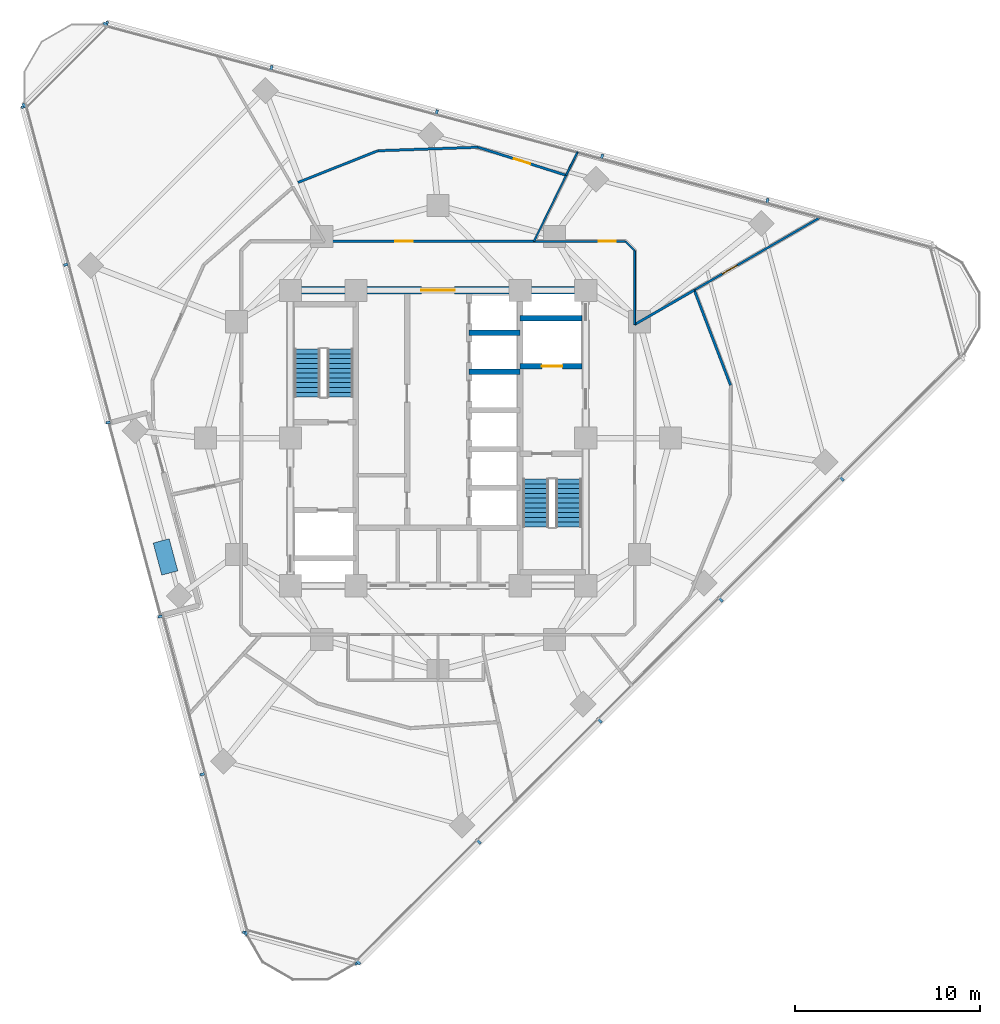
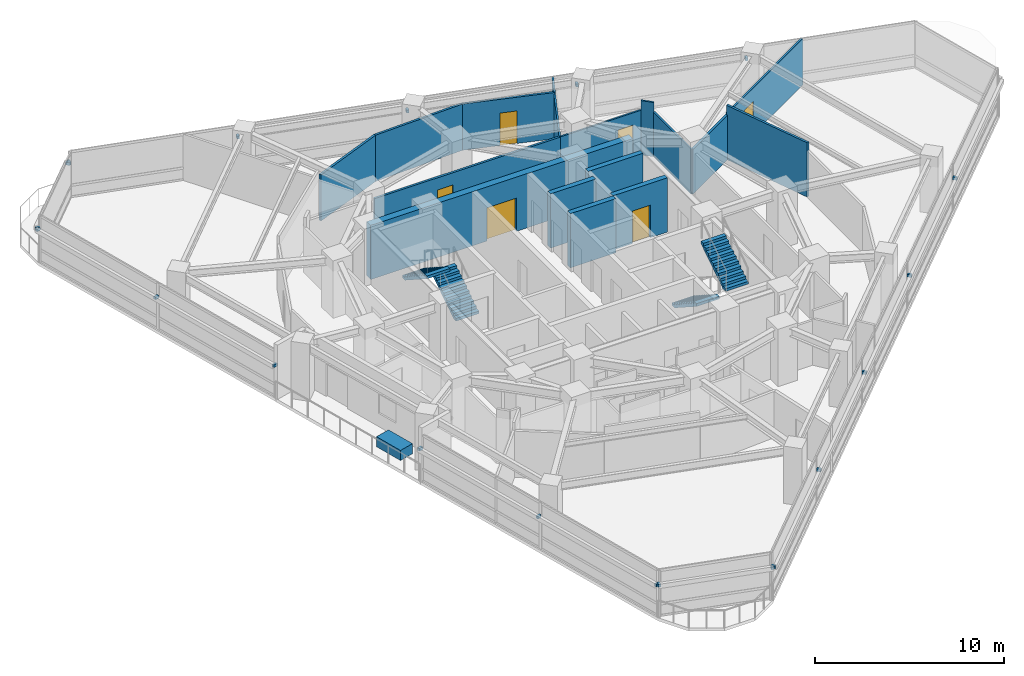
# One storey, part 9 of 14: 21 discrete accessories, 17 walls, 6 doors, 4 stair flights, 6 openings, 2 elements without a shape of their own.
"""IFC4 building model written with IfcOpenShell, lengths in metres."""

from ifc_helpers import new_model, si_unit, direction, frame, frame_2d, origin, origin_2d, place, context, subcontext, project, spatial, polyline, rectangle, outline, extrude, material, layer, layer_set, type_object, element, fill, aggregate, save


model = new_model("IFC4")

# Units and contexts
model_context = context("Model", 3, precision=1e-05, world=origin(), true_north=direction((0.0, 1.0)))
body_context = subcontext(model_context, "Body", "Model", "MODEL_VIEW")
ifc_project = project(units=[si_unit("LENGTHUNIT", "METRE"), si_unit("AREAUNIT", "SQUARE_METRE"), si_unit("VOLUMEUNIT", "CUBIC_METRE"), si_unit("PLANEANGLEUNIT", "RADIAN"), si_unit("MASSUNIT", "GRAM", prefix="KILO")], contexts=[model_context])

# Site, building, storey
site_placement = place(None, origin())
site = spatial("IfcSite", under=ifc_project, at=site_placement, CompositionType="ELEMENT")
building_placement = place(site_placement, origin())
building = spatial("IfcBuilding", under=site, at=building_placement, Name="Terralouvre Media Tower", CompositionType="ELEMENT")
storey_placement = place(building_placement, frame((0.0, 0.0, 206.39990234375)))
storey = spatial("IfcBuildingStorey", under=building, at=storey_placement, Name="L53", CompositionType="ELEMENT", Elevation=206.39990234375)

# Wall, opening, door
ifc_material_1 = material(Name="Concrete C50/60", Category="concrete")
ifc_layer_1 = layer(ifc_material_1, 0.300048828125, Name="Core Internal Shaft Wall CW-300")
ifc_layer_set_1 = layer_set([ifc_layer_1], Name="Concrete C50/60")
wall_type_1 = type_object("IfcWallType", Name="Core Internal Shaft Wall CW-300", PredefinedType="SHEAR", material=ifc_layer_set_1)
wall_1_placement = place(storey_placement, frame((4.449951171875, 3.89990234375, 0.0), z_axis=(0.0, 0.0, 1.0), x_axis=(1.0, 0.0, 0.0)))
wall_1 = element("IfcWall", 1, at=wall_1_placement, inside=storey, type_object=wall_type_1, Name="L53 Core Shaft Wall FF2S", PredefinedType="SHEAR", context=body_context, shape_type="SweptSolid", body=[
    extrude(rectangle(XDim=3.340087890625, YDim=0.300048828125, at=frame_2d((1.669921875, 0.0))), origin(), (0.0, 0.0, 1.0), 3.5),
])
opening_1_placement = place(wall_1_placement, frame((1.179931640625, 0.0, 0.0)))
opening_1 = element("IfcOpeningElement", 2, at=opening_1_placement, cuts=wall_1, Name="Opening LD-FF", PredefinedType="OPENING", context=body_context, shape_type="SweptSolid", body=[
    extrude(rectangle(XDim=1.10009765625, YDim=2.10009765625, at=frame_2d((0.550048828125, 1.050048828125))), frame((0.0, 0.159912109375, 0.0), z_axis=(0.0, -1.0, 0.0), x_axis=(1.0, 0.0, 0.0)), (0.0, 0.0, 1.0), 0.320068359375),
])
ifc_material_2 = material(Name="Stainless steel 316 handrail and balustrade", Category="steel")
door_type_1 = type_object("IfcDoorType", Name="Firefighting Lift Sliding Landing Door LD-FF", OperationType="SLIDING_TO_LEFT", PredefinedType="DOOR", material=ifc_material_2)
door_1_placement = place(opening_1_placement, origin())
door_1 = element("IfcDoor", 3, at=door_1_placement, inside=storey, type_object=door_type_1, Name="L53 Firefighting Lift FFL-02 Landing Door", OperationType="SLIDING_TO_LEFT", OverallHeight=2.10009765625, OverallWidth=1.10009765625, PredefinedType="DOOR", context=body_context, shape_type="SweptSolid", body=[
    extrude(rectangle(XDim=1.10009765625, YDim=2.10009765625, at=frame_2d((0.550048828125, 1.050048828125))), frame((0.0, 0.02490234375, 0.0), z_axis=(0.0, -1.0, 0.0), x_axis=(1.0, 0.0, 0.0)), (0.0, 0.0, 1.0), 0.050048828125),
])
fill(opening_1, door_1)

# Walls
wall_2_placement = place(storey_placement, frame((4.449951171875, 6.5, 0.0), z_axis=(0.0, 0.0, 1.0), x_axis=(1.0, 0.0, 0.0)))
element("IfcWall", 4, at=wall_2_placement, inside=storey, type_object=wall_type_1, Name="L53 Core Shaft Wall FF2N", PredefinedType="SHEAR", context=body_context, shape_type="SweptSolid", body=[
    extrude(rectangle(XDim=3.340087890625, YDim=0.300048828125, at=frame_2d((1.669921875, 0.0))), origin(), (0.0, 0.0, 1.0), 3.5),
])
for number, where, z_axis, x_axis, name in (
    (5, (1.679931640625, 3.60009765625, 0.0), (0.0, 0.0, 1.0), (1.0, 0.0, 0.0), "L53 Core Shaft Wall PLMD1"),
    (6, (1.679931640625, 5.699951171875, 0.0), (0.0, 0.0, 1.0), (1.0, 0.0, 0.0), "L53 Core Shaft Wall PLMD2"),
):
    element("IfcWall", number, at=place(storey_placement, frame(where, z_axis=z_axis, x_axis=x_axis)), inside=storey, type_object=wall_type_1, Name=name, PredefinedType="SHEAR", context=body_context, shape_type="SweptSolid", body=[
        extrude(rectangle(XDim=2.77001953125, YDim=0.300048828125, at=frame_2d((1.385009765625, 0.0))), origin(), (0.0, 0.0, 1.0), 3.5),
    ])

# Wall, opening, door
ifc_material_3 = material(Name="Concrete C60/75", Category="concrete")
ifc_layer_2 = layer(ifc_material_3, 0.419921875, Name="Core Reinforced Concrete Shear Wall CW-420")
ifc_layer_set_2 = layer_set([ifc_layer_2], Name="Concrete C60/75")
wall_type_2 = type_object("IfcWallType", Name="Core Reinforced Concrete Shear Wall CW-420", PredefinedType="SHEAR", material=ifc_layer_set_2)
wall_3_placement = place(storey_placement, frame((-8.0, 8.0, 0.0), z_axis=(0.0, 0.0, 1.0), x_axis=(1.0, 0.0, 0.0)))
wall_3 = element("IfcWall", 7, at=wall_3_placement, inside=storey, type_object=wall_type_2, Name="L53 N Core Shear Wall", PredefinedType="SHEAR", context=body_context, shape_type="SweptSolid", body=[
    extrude(rectangle(XDim=16.0, YDim=0.419921875, at=frame_2d((8.0, 0.0))), origin(), (0.0, 0.0, 1.0), 3.5),
])
opening_2_placement = place(wall_3_placement, frame((7.10009765625, 0.0, 0.0)))
opening_2 = element("IfcOpeningElement", 8, at=opening_2_placement, cuts=wall_3, Name="Opening FD-03", PredefinedType="OPENING", context=body_context, shape_type="SweptSolid", body=[
    extrude(rectangle(XDim=1.800048828125, YDim=2.14990234375, at=frame_2d((0.89990234375, 1.074951171875))), frame((0.0, 0.219970703125, 0.0), z_axis=(0.0, -1.0, 0.0), x_axis=(1.0, 0.0, 0.0)), (0.0, 0.0, 1.0), 0.43994140625),
])
ifc_material_4 = material(Name="Galvanised steel fire-resisting leaf", Category="steel")
door_type_2 = type_object("IfcDoorType", Name="Corridor Smoke-Control Double Door FD-03", OperationType="DOUBLE_DOOR_SINGLE_SWING", PredefinedType="DOOR", material=ifc_material_4)
door_2_placement = place(opening_2_placement, origin())
door_2 = element("IfcDoor", 9, at=door_2_placement, inside=storey, type_object=door_type_2, Name="L53 Central Lift Lobby Portal Door", OperationType="DOUBLE_DOOR_SINGLE_SWING", OverallHeight=2.14990234375, OverallWidth=1.800048828125, PredefinedType="DOOR", context=body_context, shape_type="SweptSolid", body=[
    extrude(rectangle(XDim=1.800048828125, YDim=2.14990234375, at=frame_2d((0.89990234375, 1.074951171875))), frame((0.0, 0.02490234375, 0.0), z_axis=(0.0, -1.0, 0.0), x_axis=(1.0, 0.0, 0.0)), (0.0, 0.0, 1.0), 0.050048828125),
])
fill(opening_2, door_2)

# Walls
ifc_material_5 = material(Name="Low-iron laminated double glazing with solar-control coating", Category="glass")
ifc_layer_3 = layer(ifc_material_5, 0.10009765625, Name="Demountable Glazed Office Partition PT-GL100")
ifc_layer_set_3 = layer_set([ifc_layer_3], Name="Low-iron laminated double glazing with solar-control coating")
wall_type_3 = type_object("IfcWallType", Name="Demountable Glazed Office Partition PT-GL100", PredefinedType="MOVABLE", material=ifc_layer_set_3)
wall_4_placement = place(storey_placement, frame((10.64990234375, 6.14892578125, 0.0), z_axis=(0.0, 0.0, 1.0), x_axis=(0.0, 1.0, 0.0)))
element("IfcWall", 10, at=wall_4_placement, inside=storey, type_object=wall_type_3, Name="L53 Interior Partition 012", PredefinedType="MOVABLE", context=body_context, shape_type="SweptSolid", body=[
    extrude(rectangle(XDim=4.0009765625, YDim=0.10009765625, at=frame_2d((2.00048828125, 0.0))), origin(), (0.0, 0.0, 1.0), 2.885009765625),
])
wall_5_placement = place(storey_placement, frame((10.64990234375, 10.14990234375, 0.0), z_axis=(0.0, 0.0, 1.0), x_axis=(-0.707106781187, 0.707106781187, 0.0)))
element("IfcWall", 11, at=wall_5_placement, inside=storey, type_object=wall_type_3, Name="L53 Interior Partition 013", PredefinedType="MOVABLE", context=body_context, shape_type="SweptSolid", body=[
    extrude(rectangle(XDim=0.70703125, YDim=0.10009765625, at=frame_2d((0.353515625, 0.0))), origin(), (0.0, 0.0, 1.0), 3.5),
])

# Wall, opening, door
wall_6_placement = place(storey_placement, frame((10.14990234375, 10.64990234375, 0.0), z_axis=(0.0, 0.0, 1.0), x_axis=(-1.0, 0.0, 0.0)))
wall_6 = element("IfcWall", 12, at=wall_6_placement, inside=storey, type_object=wall_type_3, Name="L53 Interior Partition 014", PredefinedType="MOVABLE", context=body_context, shape_type="SweptSolid", body=[
    extrude(rectangle(XDim=4.955810546875, YDim=0.10009765625, at=frame_2d((2.47802734375, 0.0))), origin(), (0.0, 0.0, 1.0), 2.885009765625),
])
opening_3_placement = place(wall_6_placement, frame((0.53125, 0.0, 0.0)))
opening_3 = element("IfcOpeningElement", 13, at=opening_3_placement, cuts=wall_6, Name="Opening ID-03-92X210", PredefinedType="OPENING", context=body_context, shape_type="SweptSolid", body=[
    extrude(rectangle(XDim=0.919921875, YDim=2.10009765625, at=frame_2d((0.4599609375, 1.050048828125))), frame((0.0, 0.06005859375, 0.0), z_axis=(0.0, -1.0, 0.0), x_axis=(1.0, 0.0, 0.0)), (0.0, 0.0, 1.0), 0.1201171875),
])
ifc_material_6 = material(Name="Engineered hardwood acoustic timber leaf", Category="wood")
door_type_3 = type_object("IfcDoorType", Name="Accessible Restroom and Suite Door ID-03 (920x2100)", OperationType="NOTDEFINED", PredefinedType="DOOR", material=ifc_material_6)
door_3_placement = place(opening_3_placement, origin())
door_3 = element("IfcDoor", 14, at=door_3_placement, inside=storey, type_object=door_type_3, Name="L53 Storyboarding Conference Room 7 Door", OperationType="SINGLE_SWING_LEFT", OverallHeight=2.10009765625, OverallWidth=0.919921875, PredefinedType="DOOR", context=body_context, shape_type="SweptSolid", body=[
    extrude(rectangle(XDim=0.919921875, YDim=2.10009765625, at=frame_2d((0.4599609375, 1.050048828125))), frame((0.0, 0.02490234375, 0.0), z_axis=(0.0, -1.0, 0.0), x_axis=(1.0, 0.0, 0.0)), (0.0, 0.0, 1.0), 0.050048828125),
])
fill(opening_3, door_3)

# Walls
wall_7_placement = place(storey_placement, frame((6.94091796875, 14.23095703125, 0.0), z_axis=(0.0, 0.0, 1.0), x_axis=(-0.43841759586, -0.898771390088, 0.0)))
element("IfcWall", 15, at=wall_7_placement, inside=storey, type_object=wall_type_3, Name="L53 Interior Partition 043", PredefinedType="MOVABLE", context=body_context, shape_type="SweptSolid", body=[
    extrude(rectangle(XDim=3.984375, YDim=0.10009765625, at=frame_2d((1.9921875, 0.0))), origin(), (0.0, 0.0, 1.0), 2.885009765625),
])
wall_8_placement = place(storey_placement, frame((7.55810546875, 15.494873046875, 0.0), z_axis=(0.0, 0.0, 1.0), x_axis=(-0.438792927977, -0.898588207333, 0.0)))
element("IfcWall", 16, at=wall_8_placement, inside=storey, type_object=wall_type_3, Name="L53 Interior Partition 044", PredefinedType="MOVABLE", context=body_context, shape_type="SweptSolid", body=[
    extrude(rectangle(XDim=1.406494140625, YDim=0.10009765625, at=frame_2d((0.703125, 0.0))), origin(), (0.0, 0.0, 1.0), 2.985107421875),
])

# Wall, opening, door
ifc_material_7 = material(Name="Fire-rated gypsum board drywall partition")
ifc_layer_4 = layer(ifc_material_7, 0.135009765625, Name="Newsroom Acoustic Partition PT-135")
ifc_layer_set_4 = layer_set([ifc_layer_4], Name="Fire-rated gypsum board drywall partition")
wall_type_4 = type_object("IfcWallType", Name="Newsroom Acoustic Partition PT-135", PredefinedType="PARTITIONING", material=ifc_layer_set_4)
wall_9_placement = place(storey_placement, frame((5.194091796875, 10.64990234375, 0.0), z_axis=(0.0, 0.0, 1.0), x_axis=(-1.0, 0.0, 0.0)))
wall_9 = element("IfcWall", 17, at=wall_9_placement, inside=storey, type_object=wall_type_4, Name="L53 Interior Partition 015", PredefinedType="PARTITIONING", context=body_context, shape_type="SweptSolid", body=[
    extrude(rectangle(XDim=11.343017578125, YDim=0.135009765625, at=frame_2d((5.67138671875, 0.0))), origin(), (0.0, 0.0, 1.0), 2.885009765625),
])
opening_4_placement = place(wall_9_placement, frame((6.5576171875, 0.0, 0.0)))
opening_4 = element("IfcOpeningElement", 18, at=opening_4_placement, cuts=wall_9, Name="Opening ID-02-95X210", PredefinedType="OPENING", context=body_context, shape_type="SweptSolid", body=[
    extrude(rectangle(XDim=0.949951171875, YDim=2.10009765625, at=frame_2d((0.47509765625, 1.050048828125))), frame((0.0, 0.077392578125, 0.0), z_axis=(0.0, -1.0, 0.0), x_axis=(1.0, 0.0, 0.0)), (0.0, 0.0, 1.0), 0.155029296875),
])
ifc_material_8 = material(Name="Engineered hardwood acoustic timber leaf", Category="wood")
door_type_4 = type_object("IfcDoorType", Name="Office and Meeting Room Door ID-02 (950x2100)", OperationType="NOTDEFINED", PredefinedType="DOOR", material=ifc_material_8)
door_4_placement = place(opening_4_placement, origin())
door_4 = element("IfcDoor", 19, at=door_4_placement, inside=storey, type_object=door_type_4, Name="L53 Media Ingest Storage 8 Door", OperationType="SINGLE_SWING_RIGHT", OverallHeight=2.10009765625, OverallWidth=0.949951171875, PredefinedType="DOOR", context=body_context, shape_type="SweptSolid", body=[
    extrude(rectangle(XDim=0.949951171875, YDim=2.10009765625, at=frame_2d((0.47509765625, 1.050048828125))), frame((0.0, 0.02490234375, 0.0), z_axis=(0.0, -1.0, 0.0), x_axis=(1.0, 0.0, 0.0)), (0.0, 0.0, 1.0), 0.050048828125),
])
fill(opening_4, door_4)

# Walls
wall_10_placement = place(storey_placement, frame((15.843017578125, 2.864990234375, 0.0), z_axis=(0.0, 0.0, 1.0), x_axis=(-0.356314091201, 0.934366238908, 0.0)))
element("IfcWall", 20, at=wall_10_placement, inside=storey, type_object=wall_type_4, Name="L53 Interior Partition 040", PredefinedType="PARTITIONING", context=body_context, shape_type="SweptSolid", body=[
    extrude(rectangle(XDim=5.509521484375, YDim=0.135009765625, at=frame_2d((2.7548828125, 0.0))), origin(), (0.0, 0.0, 1.0), 3.5),
])
wall_11_placement = place(storey_placement, frame((13.8798828125, 8.012939453125, 0.0), z_axis=(0.0, 0.0, 1.0), x_axis=(-0.866120184914, -0.499835798323, 0.0)))
element("IfcWall", 21, at=wall_11_placement, inside=storey, type_object=wall_type_4, Name="L53 Interior Partition 041", PredefinedType="PARTITIONING", context=body_context, shape_type="SweptSolid", body=[
    extrude(rectangle(XDim=3.729248046875, YDim=0.135009765625, at=frame_2d((1.86474609375, 0.0))), origin(), (0.0, 0.0, 1.0), 2.885009765625),
])

# Wall, opening, door
wall_12_placement = place(storey_placement, frame((6.94091796875, 14.23095703125, 0.0), z_axis=(0.0, 0.0, 1.0), x_axis=(-0.952809240113, 0.303569682208, 0.0)))
wall_12 = element("IfcWall", 22, at=wall_12_placement, inside=storey, type_object=wall_type_4, Name="L53 Interior Partition 045", PredefinedType="PARTITIONING", context=body_context, shape_type="SweptSolid", body=[
    extrude(rectangle(XDim=5.01025390625, YDim=0.135009765625, at=frame_2d((2.505126953125, 0.0))), origin(), (0.0, 0.0, 1.0), 2.985107421875),
])
opening_5_placement = place(wall_12_placement, frame((2.045166015625, 0.0, 0.0)))
opening_5 = element("IfcOpeningElement", 23, at=opening_5_placement, cuts=wall_12, Name="Opening ID-03-92X210", PredefinedType="OPENING", context=body_context, shape_type="SweptSolid", body=[
    extrude(rectangle(XDim=0.919921875, YDim=2.10009765625, at=frame_2d((0.4599609375, 1.050048828125))), frame((0.0, 0.077392578125, 0.0), z_axis=(0.0, -1.0, 0.0), x_axis=(1.0, 0.0, 0.0)), (0.0, 0.0, 1.0), 0.155029296875),
])
door_5_placement = place(opening_5_placement, origin())
door_5 = element("IfcDoor", 24, at=door_5_placement, inside=storey, type_object=door_type_3, Name="L53 Post Schedule Office 9 Door", OperationType="SINGLE_SWING_RIGHT", OverallHeight=2.10009765625, OverallWidth=0.919921875, PredefinedType="DOOR", context=body_context, shape_type="SweptSolid", body=[
    extrude(rectangle(XDim=0.919921875, YDim=2.10009765625, at=frame_2d((0.4599609375, 1.050048828125))), frame((0.0, 0.02490234375, 0.0), z_axis=(0.0, -1.0, 0.0), x_axis=(1.0, 0.0, 0.0)), (0.0, 0.0, 1.0), 0.050048828125),
])
fill(opening_5, door_5)

# Walls
wall_13_placement = place(storey_placement, frame((2.1669921875, 15.751953125, 0.0), z_axis=(0.0, 0.0, 1.0), x_axis=(-0.999388305695, -0.034971623345, 0.0)))
element("IfcWall", 25, at=wall_13_placement, inside=storey, type_object=wall_type_4, Name="L53 Interior Partition 046", PredefinedType="PARTITIONING", context=body_context, shape_type="SweptSolid", body=[
    extrude(rectangle(XDim=5.431396484375, YDim=0.135009765625, at=frame_2d((2.7158203125, 0.0))), origin(), (0.0, 0.0, 1.0), 2.985107421875),
])
wall_14_placement = place(storey_placement, frame((-3.260986328125, 15.56201171875, 0.0), z_axis=(0.0, 0.0, 1.0), x_axis=(-0.929345677851, -0.369210794885, 0.0)))
element("IfcWall", 26, at=wall_14_placement, inside=storey, type_object=wall_type_4, Name="L53 Interior Partition 047", PredefinedType="PARTITIONING", context=body_context, shape_type="SweptSolid", body=[
    extrude(rectangle(XDim=4.65576171875, YDim=0.135009765625, at=frame_2d((2.327880859375, 0.0))), origin(), (0.0, 0.0, 1.0), 2.985107421875),
])

# Wall, opening, door
ifc_material_9 = material(Name="Fire-rated gypsum board drywall partition")
ifc_layer_5 = layer(ifc_material_9, 0.114990234375, Name="Restroom and Pantry Partition PT-115")
ifc_layer_set_5 = layer_set([ifc_layer_5], Name="Fire-rated gypsum board drywall partition")
wall_type_5 = type_object("IfcWallType", Name="Restroom and Pantry Partition PT-115", PredefinedType="PARTITIONING", material=ifc_layer_set_5)
wall_15_placement = place(storey_placement, frame((20.726318359375, 11.96630859375, 0.0), z_axis=(0.0, 0.0, 1.0), x_axis=(-0.865993758931, -0.500054806489, 0.0)))
wall_15 = element("IfcWall", 27, at=wall_15_placement, inside=storey, type_object=wall_type_5, Name="L53 Interior Partition 042", PredefinedType="PARTITIONING", context=body_context, shape_type="SweptSolid", body=[
    extrude(rectangle(XDim=7.90576171875, YDim=0.114990234375, at=frame_2d((3.952880859375, 0.0))), origin(), (0.0, 0.0, 1.0), 2.985107421875),
])
opening_6_placement = place(wall_15_placement, frame((5.232177734375, 0.0, 0.0)))
opening_6 = element("IfcOpeningElement", 28, at=opening_6_placement, cuts=wall_15, Name="Opening ID-03-92X210", PredefinedType="OPENING", context=body_context, shape_type="SweptSolid", body=[
    extrude(rectangle(XDim=0.919921875, YDim=2.10009765625, at=frame_2d((0.4599609375, 1.050048828125))), frame((0.0, 0.0673828125, 0.0), z_axis=(0.0, -1.0, 0.0), x_axis=(1.0, 0.0, 0.0)), (0.0, 0.0, 1.0), 0.135009765625),
])
door_6_placement = place(opening_6_placement, origin())
door_6 = element("IfcDoor", 29, at=door_6_placement, inside=storey, type_object=door_type_3, Name="L53 Editors Bistro Kitchen 6 Door", OperationType="SINGLE_SWING_LEFT", OverallHeight=2.10009765625, OverallWidth=0.919921875, PredefinedType="DOOR", context=body_context, shape_type="SweptSolid", body=[
    extrude(rectangle(XDim=0.919921875, YDim=2.10009765625, at=frame_2d((0.4599609375, 1.050048828125))), frame((0.0, 0.02490234375, 0.0), z_axis=(0.0, -1.0, 0.0), x_axis=(1.0, 0.0, 0.0)), (0.0, 0.0, 1.0), 0.050048828125),
])
fill(opening_6, door_6)

# Stair, stair flights
ifc_material_10 = material(Name="Concrete C45/55", Category="concrete")
stair_type_1 = type_object("IfcStairType", Name="Dogleg Stair Assembly ST-01", PredefinedType="HALF_TURN_STAIR", material=ifc_material_10)
stair_1_placement = place(storey_placement, origin())
stair_1 = element("IfcStair", 30, at=stair_1_placement, inside=storey, type_object=stair_type_1, Name="L53 Core Pressurised Exit Stair ST-01", PredefinedType="HALF_TURN_STAIR")
ifc_material_11 = material(Name="Concrete C45/55", Category="concrete")
stair_flight_type = type_object("IfcStairFlightType", Name="Reinforced Concrete Stair Flight SF-RC1", PredefinedType="STRAIGHT", material=ifc_material_11)
stair_flight_1_placement = place(storey_placement, frame((-5.300048828125, 2.219970703125, 0.0), z_axis=(0.0, 0.0, 1.0), x_axis=(0.0, 1.0, 0.0)))
stair_flight_1 = element("IfcStairFlight", 31, at=stair_flight_1_placement, type_object=stair_flight_type, Name="ST-01 flight 1", NumberOfRisers=11, NumberOfTreads=10, PredefinedType="STRAIGHT", RiserHeight=0.168181818, TreadLength=0.26, context=body_context, shape_type="SweptSolid", body=[
    extrude(outline(polyline([(0.0, 0.0), (0.0, 0.168212890625), (0.260009765625, 0.168212890625), (0.260009765625, 0.33642578125), (0.52001953125, 0.33642578125), (0.52001953125, 0.504638671875), (0.780029296875, 0.504638671875), (0.780029296875, 0.672607421875), (1.0400390625, 0.672607421875), (1.0400390625, 0.8408203125), (1.300048828125, 0.8408203125), (1.300048828125, 1.009033203125), (1.56005859375, 1.009033203125), (1.56005859375, 1.17724609375), (1.820068359375, 1.17724609375), (1.820068359375, 1.345458984375), (2.080078125, 1.345458984375), (2.080078125, 1.513671875), (2.340087890625, 1.513671875), (2.340087890625, 1.681884765625), (2.60009765625, 1.681884765625), (2.60009765625, 1.85009765625), (2.60009765625, 1.503173828125), (0.27587890625, 0.0), (0.0, 0.0)])), frame((0.0, 0.699951171875, 0.0), z_axis=(0.0, -1.0, 0.0), x_axis=(1.0, 0.0, 0.0)), (0.0, 0.0, 1.0), 1.39990234375),
])
stair_flight_2_placement = place(storey_placement, frame((-7.080078125, 4.820068359375, 1.85009765625), z_axis=(0.0, 0.0, 1.0), x_axis=(0.0, -1.0, 0.0)))
stair_flight_2 = element("IfcStairFlight", 32, at=stair_flight_2_placement, type_object=stair_flight_type, Name="ST-01 flight 2", NumberOfRisers=11, NumberOfTreads=10, PredefinedType="STRAIGHT", RiserHeight=0.168181818, TreadLength=0.26, context=body_context, shape_type="SweptSolid", body=[
    extrude(outline(polyline([(0.0, 0.0), (0.0, 0.168212890625), (0.260009765625, 0.168212890625), (0.260009765625, 0.33642578125), (0.52001953125, 0.33642578125), (0.52001953125, 0.504638671875), (0.780029296875, 0.504638671875), (0.780029296875, 0.672607421875), (1.0400390625, 0.672607421875), (1.0400390625, 0.8408203125), (1.300048828125, 0.8408203125), (1.300048828125, 1.009033203125), (1.56005859375, 1.009033203125), (1.56005859375, 1.17724609375), (1.820068359375, 1.17724609375), (1.820068359375, 1.345458984375), (2.080078125, 1.345458984375), (2.080078125, 1.513671875), (2.340087890625, 1.513671875), (2.340087890625, 1.681884765625), (2.60009765625, 1.681884765625), (2.60009765625, 1.85009765625), (2.60009765625, 1.503173828125), (0.27587890625, 0.0), (0.0, 0.0)])), frame((0.0, 0.699951171875, 0.0), z_axis=(0.0, -1.0, 0.0), x_axis=(1.0, 0.0, 0.0)), (0.0, 0.0, 1.0), 1.39990234375),
])
aggregate(stair_1, [stair_flight_1, stair_flight_2])

ifc_material_12 = material(Name="Concrete C45/55", Category="concrete")
stair_type_2 = type_object("IfcStairType", Name="Dogleg Stair Assembly ST-02", PredefinedType="HALF_TURN_STAIR", material=ifc_material_12)
stair_2_placement = place(storey_placement, origin())
stair_2 = element("IfcStair", 33, at=stair_2_placement, inside=storey, type_object=stair_type_2, Name="L53 Core Pressurised Exit Stair ST-02", PredefinedType="HALF_TURN_STAIR")
stair_flight_3_placement = place(storey_placement, frame((5.300048828125, -2.219970703125, 0.0), z_axis=(0.0, 0.0, 1.0), x_axis=(0.0, -1.0, 0.0)))
stair_flight_3 = element("IfcStairFlight", 34, at=stair_flight_3_placement, type_object=stair_flight_type, Name="ST-02 flight 1", NumberOfRisers=11, NumberOfTreads=10, PredefinedType="STRAIGHT", RiserHeight=0.168181818, TreadLength=0.26, context=body_context, shape_type="SweptSolid", body=[
    extrude(outline(polyline([(0.0, 0.0), (0.0, 0.168212890625), (0.260009765625, 0.168212890625), (0.260009765625, 0.33642578125), (0.52001953125, 0.33642578125), (0.52001953125, 0.504638671875), (0.780029296875, 0.504638671875), (0.780029296875, 0.672607421875), (1.0400390625, 0.672607421875), (1.0400390625, 0.8408203125), (1.300048828125, 0.8408203125), (1.300048828125, 1.009033203125), (1.56005859375, 1.009033203125), (1.56005859375, 1.17724609375), (1.820068359375, 1.17724609375), (1.820068359375, 1.345458984375), (2.080078125, 1.345458984375), (2.080078125, 1.513671875), (2.340087890625, 1.513671875), (2.340087890625, 1.681884765625), (2.60009765625, 1.681884765625), (2.60009765625, 1.85009765625), (2.60009765625, 1.503173828125), (0.27587890625, 0.0), (0.0, 0.0)])), frame((0.0, 0.699951171875, 0.0), z_axis=(0.0, -1.0, 0.0), x_axis=(1.0, 0.0, 0.0)), (0.0, 0.0, 1.0), 1.39990234375),
])
stair_flight_4_placement = place(storey_placement, frame((7.080078125, -4.820068359375, 1.85009765625), z_axis=(0.0, 0.0, 1.0), x_axis=(0.0, 1.0, 0.0)))
stair_flight_4 = element("IfcStairFlight", 35, at=stair_flight_4_placement, type_object=stair_flight_type, Name="ST-02 flight 2", NumberOfRisers=11, NumberOfTreads=10, PredefinedType="STRAIGHT", RiserHeight=0.168181818, TreadLength=0.26, context=body_context, shape_type="SweptSolid", body=[
    extrude(outline(polyline([(0.0, 0.0), (0.0, 0.168212890625), (0.260009765625, 0.168212890625), (0.260009765625, 0.33642578125), (0.52001953125, 0.33642578125), (0.52001953125, 0.504638671875), (0.780029296875, 0.504638671875), (0.780029296875, 0.672607421875), (1.0400390625, 0.672607421875), (1.0400390625, 0.8408203125), (1.300048828125, 0.8408203125), (1.300048828125, 1.009033203125), (1.56005859375, 1.009033203125), (1.56005859375, 1.17724609375), (1.820068359375, 1.17724609375), (1.820068359375, 1.345458984375), (2.080078125, 1.345458984375), (2.080078125, 1.513671875), (2.340087890625, 1.513671875), (2.340087890625, 1.681884765625), (2.60009765625, 1.681884765625), (2.60009765625, 1.85009765625), (2.60009765625, 1.503173828125), (0.27587890625, 0.0), (0.0, 0.0)])), frame((0.0, 0.699951171875, 0.0), z_axis=(0.0, -1.0, 0.0), x_axis=(1.0, 0.0, 0.0)), (0.0, 0.0, 1.0), 1.39990234375),
])
aggregate(stair_2, [stair_flight_3, stair_flight_4])

# Discrete accessories
ifc_material_13 = material(Name="Anodised extruded aluminium 6063-T6", Category="aluminium")
discrete_accessory_type_1 = type_object("IfcDiscreteAccessoryType", Name="Mullion Stand-Off Baguette Fixing Bracket BK-01", PredefinedType="BRACKET", material=ifc_material_13)
for number, where, z_axis, x_axis, name in (
    (36, (-4.31298828125, -28.41552734375, 2.07421875), (0.0, 0.0, 1.0), (0.707106781187, 0.707106781187, 0.0), "CW-L53-F0 Baguette Outrigger Bracket 1.01"),
    (37, (2.216796875, -21.8857421875, 2.07421875), (0.0, 0.0, 1.0), (0.707106781187, 0.707106781187, 0.0), "CW-L53-F0 Baguette Outrigger Bracket 1.02"),
    (38, (8.77294921875, -15.329345703125, 2.07421875), (0.0, 0.0, 1.0), (0.707106781187, 0.707106781187, 0.0), "CW-L53-F0 Baguette Outrigger Bracket 1.03"),
    (39, (15.329345703125, -8.77294921875, 2.07421875), (0.0, 0.0, 1.0), (0.707106781187, 0.707106781187, 0.0), "CW-L53-F0 Baguette Outrigger Bracket 1.04"),
    (40, (21.8857421875, -2.216796875, 2.07421875), (0.0, 0.0, 1.0), (0.707106781187, 0.707106781187, 0.0), "CW-L53-F0 Baguette Outrigger Bracket 1.05"),
    (41, (17.84521484375, 12.862548828125, 2.07421875), (0.0, 0.0, 1.0), (-0.96592582942, 0.25881903342, 0.0), "CW-L53-F1 Baguette Outrigger Bracket 1.02"),
    (42, (8.88916015625, 15.262451171875, 2.07421875), (0.0, 0.0, 1.0), (-0.96592582942, 0.25881903342, 0.0), "CW-L53-F1 Baguette Outrigger Bracket 1.03"),
    (43, (-0.06689453125, 17.662109375, 2.07421875), (0.0, 0.0, 1.0), (-0.96592582942, 0.25881903342, 0.0), "CW-L53-F1 Baguette Outrigger Bracket 1.04"),
    (44, (-9.02294921875, 20.06201171875, 2.07421875), (0.0, 0.0, 1.0), (-0.96592582942, 0.25881903342, 0.0), "CW-L53-F1 Baguette Outrigger Bracket 1.05"),
    (45, (-17.94287109375, 22.451904296875, 2.07421875), (0.0, 0.0, 1.0), (-0.96592582942, 0.25881903342, 0.0), "CW-L53-F1 Baguette Outrigger Bracket 1.06"),
    (46, (-22.451904296875, 17.94287109375, 2.07421875), (0.0, 0.0, 1.0), (0.25881892426, -0.965925858669, 0.0), "CW-L53-F2L Baguette Outrigger Bracket 1.01"),
    (47, (-20.160888671875, 9.39208984375, 2.07421875), (0.0, 0.0, 1.0), (0.25881892426, -0.965925858669, 0.0), "CW-L53-F2L Baguette Outrigger Bracket 1.02"),
    (48, (-17.86962890625, 0.841064453125, 2.07421875), (0.0, 0.0, 1.0), (0.25881892426, -0.965925858669, 0.0), "CW-L53-F2L Baguette Outrigger Bracket 1.03"),
    (49, (-15.054931640625, -9.663330078125, 2.07421875), (0.0, 0.0, 1.0), (0.25881892426, -0.965925858669, 0.0), "CW-L53-F2R Baguette Outrigger Bracket 1.01"),
    (50, (-12.763671875, -18.214111328125, 2.07421875), (0.0, 0.0, 1.0), (0.25881892426, -0.965925858669, 0.0), "CW-L53-F2R Baguette Outrigger Bracket 1.02"),
    (51, (-10.472412109375, -26.764892578125, 2.07421875), (0.0, 0.0, 1.0), (0.25881892426, -0.965925858669, 0.0), "CW-L53-F2R Baguette Outrigger Bracket 1.03"),
    (52, (-10.39306640625, -26.81982421875, 2.07421875), (0.0, 0.0, 1.0), (0.965925911218, -0.258818728144, 0.0), "CW-L53-C0 Baguette Outrigger Bracket 1.01"),
    (53, (-4.4091796875, -28.42333984375, 2.07421875), (0.0, 0.0, 1.0), (0.965925911218, -0.258818728144, 0.0), "CW-L53-C0 Baguette Outrigger Bracket 1.02"),
    (54, (-18.030029296875, 22.41064453125, 2.07421875), (0.0, 0.0, 1.0), (-0.707106781187, -0.707106781187, 0.0), "CW-L53-C2 Baguette Outrigger Bracket 1.01"),
    (55, (-22.41064453125, 18.030029296875, 2.07421875), (0.0, 0.0, 1.0), (-0.707106781187, -0.707106781187, 0.0), "CW-L53-C2 Baguette Outrigger Bracket 1.02"),
):
    element("IfcDiscreteAccessory", number, at=place(storey_placement, frame(where, z_axis=z_axis, x_axis=x_axis)), inside=storey, type_object=discrete_accessory_type_1, Name=name, PredefinedType="BRACKET", context=body_context, shape_type="SweptSolid", body=[
        extrude(rectangle(XDim=0.139892578125, YDim=0.239990234375, at=origin_2d()), origin(), (0.0, 0.0, 1.0), 0.179931640625),
    ])
ifc_material_14 = material(Name="Kiln-fired architectural terracotta rainscreen cladding", Category="masonry")
discrete_accessory_type_2 = type_object("IfcDiscreteAccessoryType", Name="Planted Tropical Garden Bed Planter PLT-01", PredefinedType="USERDEFINED", material=ifc_material_14)
discrete_accessory_placement = place(storey_placement, frame((-14.76416015625, -6.440673828125, -0.0048828125), z_axis=(0.0, 0.0, 1.0), x_axis=(0.258818959596, -0.965925849201, 0.0)))
element("IfcDiscreteAccessory", 56, at=discrete_accessory_placement, inside=storey, type_object=discrete_accessory_type_2, Name="L53 SG Planted Garden Bed Planter", ObjectType="PLANTER", PredefinedType="USERDEFINED", context=body_context, shape_type="SweptSolid", body=[
    extrude(rectangle(XDim=1.800048828125, YDim=0.89990234375, at=origin_2d()), origin(), (0.0, 0.0, 1.0), 0.64990234375),
])

save(model, "model.ifc")
